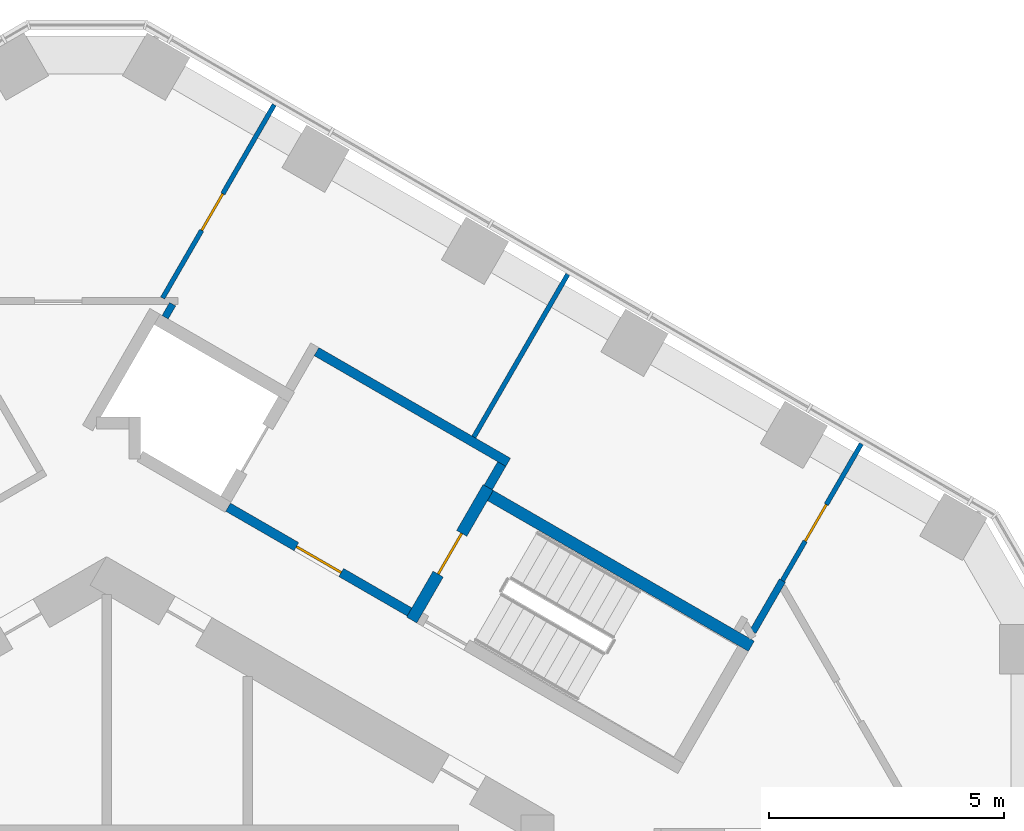
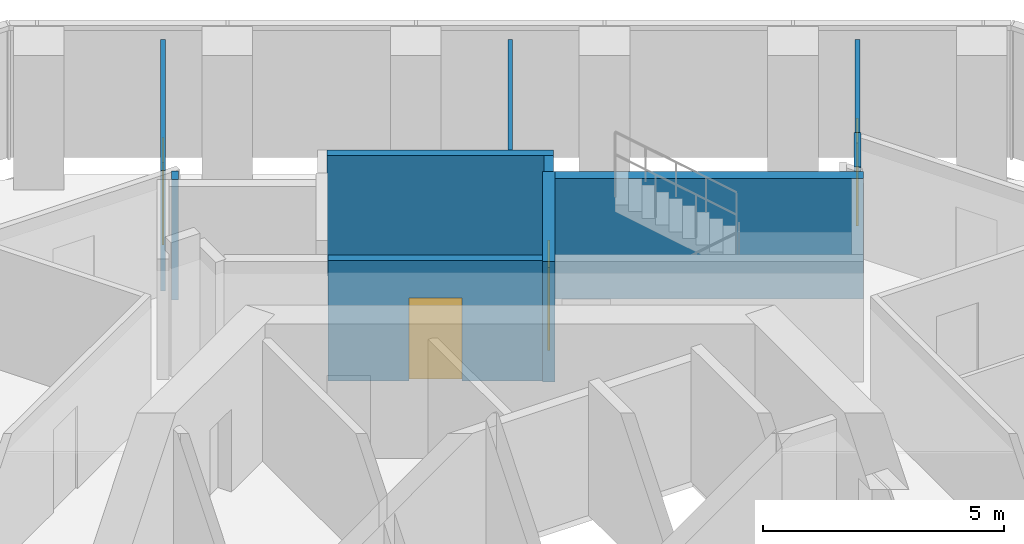
# One storey, part 16 of 19: 10 walls, 4 doors, 4 openings.
"""IFC4 building model written with IfcOpenShell, lengths in metres."""

from ifc_helpers import new_model, si_unit, direction, frame, frame_2d, origin, place, context, subcontext, project, spatial, rectangle, extrude, material, layer, layer_set, type_object, element, fill, save


model = new_model("IFC4")

# Units and contexts
model_context = context("Model", 3, precision=1e-05, world=origin(), true_north=direction((0.0, 1.0)))
body_context = subcontext(model_context, "Body", "Model", "MODEL_VIEW")
ifc_project = project(units=[si_unit("LENGTHUNIT", "METRE"), si_unit("AREAUNIT", "SQUARE_METRE"), si_unit("VOLUMEUNIT", "CUBIC_METRE"), si_unit("PLANEANGLEUNIT", "RADIAN"), si_unit("MASSUNIT", "GRAM", prefix="KILO")], contexts=[model_context])

# Site, building, storey
site_placement = place(None, origin())
site = spatial("IfcSite", under=ifc_project, at=site_placement, CompositionType="ELEMENT")
building_placement = place(site_placement, origin())
building = spatial("IfcBuilding", under=site, at=building_placement, Name="Ayvan Gate Tower", CompositionType="ELEMENT")
storey_placement = place(building_placement, frame((0.0, 0.0, 106.89990234375)))
storey = spatial("IfcBuildingStorey", under=building, at=storey_placement, Name="L28", CompositionType="ELEMENT", Elevation=106.89990234375)

# Walls
ifc_material_1 = material(Name="Plasterboard on steel stud", Category="steel")
ifc_layer_1 = layer(ifc_material_1, 0.14990234375)
ifc_layer_set_1 = layer_set([ifc_layer_1], Name="Plasterboard on steel stud")
wall_type_1 = type_object("IfcWallType", Name="WT-CORR-150", PredefinedType="PARTITIONING", material=ifc_layer_set_1)
wall_1_placement = place(storey_placement, frame((1.404296875, 16.33203125, 0.0), z_axis=(0.0, 0.0, 1.0), x_axis=(-0.500226934229, -0.865894343596, 0.0)))
element("IfcWall", 1, at=wall_1_placement, inside=storey, type_object=wall_type_1, Name="IW-L28-067", PredefinedType="PARTITIONING", context=body_context, shape_type="SweptSolid", body=[
    extrude(rectangle(XDim=0.321044921875, YDim=0.14990234375, at=frame_2d((0.16064453125, 0.0))), origin(), (0.0, 0.0, 1.0), 3.050048828125),
])
wall_2_placement = place(storey_placement, frame((13.72705078125, 9.3759765625, 0.0), z_axis=(0.0, 0.0, 1.0), x_axis=(0.500037327496, 0.866003851672, 0.0)))
element("IfcWall", 2, at=wall_2_placement, inside=storey, type_object=wall_type_1, Name="IW-L28-107", PredefinedType="PARTITIONING", context=body_context, shape_type="SweptSolid", body=[
    extrude(rectangle(XDim=1.2529296875, YDim=0.14990234375, at=frame_2d((0.62646484375, 0.0))), origin(), (0.0, 0.0, 1.0), 3.050048828125),
])

# Wall, opening, door
ifc_layer_2 = layer(ifc_material_1, 0.10009765625)
ifc_layer_set_2 = layer_set([ifc_layer_2], Name="Plasterboard on steel stud")
wall_type_2 = type_object("IfcWallType", Name="WT-PART-100", PredefinedType="PARTITIONING", material=ifc_layer_set_2)
wall_3_placement = place(storey_placement, frame((3.560302734375, 20.56640625, 0.0), z_axis=(0.0, 0.0, 1.0), x_axis=(-0.500022688392, -0.866012304239, 0.0)))
wall_3 = element("IfcWall", 3, at=wall_3_placement, inside=storey, type_object=wall_type_2, Name="IW-L28-076", PredefinedType="PARTITIONING", context=body_context, shape_type="SweptSolid", body=[
    extrude(rectangle(XDim=4.739501953125, YDim=0.10009765625, at=frame_2d((2.36962890625, 0.0))), origin(), (0.0, 0.0, 1.0), 3.050048828125),
])
opening_1_placement = place(wall_3_placement, frame((2.18017578125, 0.0, 0.0)))
opening_1 = element("IfcOpeningElement", 4, at=opening_1_placement, cuts=wall_3, Name="Opening L28-D22", PredefinedType="OPENING", context=body_context, shape_type="SweptSolid", body=[
    extrude(rectangle(XDim=0.89990234375, YDim=2.10009765625, at=frame_2d((0.449951171875, 1.050048828125))), frame((0.0, 0.06005859375, 0.0), z_axis=(0.0, -1.0, 0.0), x_axis=(1.0, 0.0, 0.0)), (0.0, 0.0, 1.0), 0.1201171875),
])
ifc_material_2 = material(Name="Timber door leaf", Category="wood")
door_type_1 = type_object("IfcDoorType", Name="DT-900", OperationType="NOTDEFINED", PredefinedType="DOOR", material=ifc_material_2)
door_1_placement = place(opening_1_placement, origin())
door_1 = element("IfcDoor", 5, at=door_1_placement, inside=storey, type_object=door_type_1, Name="ID-L28-022", OperationType="SINGLE_SWING_RIGHT", OverallHeight=2.10009765625, OverallWidth=0.89990234375, PredefinedType="DOOR", context=body_context, shape_type="SweptSolid", body=[
    extrude(rectangle(XDim=0.89990234375, YDim=2.10009765625, at=frame_2d((0.449951171875, 1.050048828125))), frame((0.0, 0.02490234375, 0.0), z_axis=(0.0, -1.0, 0.0), x_axis=(1.0, 0.0, 0.0)), (0.0, 0.0, 1.0), 0.050048828125),
])
fill(opening_1, door_1)

# Wall
wall_4_placement = place(storey_placement, frame((7.800048828125, 13.510009765625, 0.0), z_axis=(0.0, 0.0, 1.0), x_axis=(0.500020748167, 0.866013424493, 0.0)))
element("IfcWall", 6, at=wall_4_placement, inside=storey, type_object=wall_type_2, Name="IW-L28-092", PredefinedType="PARTITIONING", context=body_context, shape_type="SweptSolid", body=[
    extrude(rectangle(XDim=3.990966796875, YDim=0.10009765625, at=frame_2d((1.99560546875, 0.0))), origin(), (0.0, 0.0, 1.0), 3.050048828125),
])

# Wall, opening, door
wall_5_placement = place(storey_placement, frame((14.353515625, 10.4609375, 0.0), z_axis=(0.0, 0.0, 1.0), x_axis=(0.499997513821, 0.866026839176, 0.0)))
wall_5 = element("IfcWall", 7, at=wall_5_placement, inside=storey, type_object=wall_type_2, Name="IW-L28-108", PredefinedType="PARTITIONING", context=body_context, shape_type="SweptSolid", body=[
    extrude(rectangle(XDim=3.35498046875, YDim=0.10009765625, at=frame_2d((1.677490234375, 0.0))), origin(), (0.0, 0.0, 1.0), 3.050048828125),
])
opening_2_placement = place(wall_5_placement, frame((0.966796875, 0.0, 0.0)))
opening_2 = element("IfcOpeningElement", 8, at=opening_2_placement, cuts=wall_5, Name="Opening L28-D20", PredefinedType="OPENING", context=body_context, shape_type="SweptSolid", body=[
    extrude(rectangle(XDim=0.89990234375, YDim=2.10009765625, at=frame_2d((0.449951171875, 1.050048828125))), frame((0.0, 0.06005859375, 0.0), z_axis=(0.0, -1.0, 0.0), x_axis=(1.0, 0.0, 0.0)), (0.0, 0.0, 1.0), 0.1201171875),
])
door_2_placement = place(opening_2_placement, origin())
door_2 = element("IfcDoor", 9, at=door_2_placement, inside=storey, type_object=door_type_1, Name="ID-L28-020", OperationType="SINGLE_SWING_RIGHT", OverallHeight=2.10009765625, OverallWidth=0.89990234375, PredefinedType="DOOR", context=body_context, shape_type="SweptSolid", body=[
    extrude(rectangle(XDim=0.89990234375, YDim=2.10009765625, at=frame_2d((0.449951171875, 1.050048828125))), frame((0.0, 0.02490234375, 0.0), z_axis=(0.0, -1.0, 0.0), x_axis=(1.0, 0.0, 0.0)), (0.0, 0.0, 1.0), 0.050048828125),
])
fill(opening_2, door_2)

# Wall
ifc_layer_3 = layer(ifc_material_1, 0.199951171875)
ifc_layer_set_3 = layer_set([ifc_layer_3], Name="Plasterboard on steel stud")
wall_type_3 = type_object("IfcWallType", Name="WT-RATED-200", PredefinedType="PARTITIONING", material=ifc_layer_set_3)
wall_6_placement = place(storey_placement, frame((4.458984375, 15.323486328125, 0.0), z_axis=(0.0, 0.0, 1.0), x_axis=(0.866016039709, -0.500016218704, 0.0)))
element("IfcWall", 10, at=wall_6_placement, inside=storey, type_object=wall_type_3, Name="IW-L28-080", PredefinedType="PARTITIONING", context=body_context, shape_type="SweptSolid", body=[
    extrude(rectangle(XDim=4.699951171875, YDim=0.199951171875, at=frame_2d((2.35009765625, 0.0))), origin(), (0.0, 0.0, 1.0), 3.050048828125),
])

# Wall, opening, door
wall_7_placement = place(storey_placement, frame((6.4345703125, 9.794921875, 0.0), z_axis=(0.0, 0.0, 1.0), x_axis=(-0.866012907634, 0.500021643343, 0.0)))
wall_7 = element("IfcWall", 11, at=wall_7_placement, inside=storey, type_object=wall_type_3, Name="IW-L28-083", PredefinedType="PARTITIONING", context=body_context, shape_type="SweptSolid", body=[
    extrude(rectangle(XDim=4.449951171875, YDim=0.199951171875, at=frame_2d((2.22509765625, 0.0))), origin(), (0.0, 0.0, 1.0), 3.050048828125),
])
opening_3_placement = place(wall_7_placement, frame((1.675048828125, 0.0, 0.0)))
opening_3 = element("IfcOpeningElement", 12, at=opening_3_placement, cuts=wall_7, Name="Opening L28-D08", PredefinedType="OPENING", context=body_context, shape_type="SweptSolid", body=[
    extrude(rectangle(XDim=1.10009765625, YDim=2.10009765625, at=frame_2d((0.550048828125, 1.050048828125))), frame((0.0, 0.10986328125, 0.0), z_axis=(0.0, -1.0, 0.0), x_axis=(1.0, 0.0, 0.0)), (0.0, 0.0, 1.0), 0.219970703125),
])
door_type_2 = type_object("IfcDoorType", Name="DT-1100", OperationType="NOTDEFINED", PredefinedType="DOOR", material=ifc_material_2)
door_3_placement = place(opening_3_placement, origin())
door_3 = element("IfcDoor", 13, at=door_3_placement, inside=storey, type_object=door_type_2, Name="ID-L28-008", OperationType="SINGLE_SWING_RIGHT", OverallHeight=2.10009765625, OverallWidth=1.10009765625, PredefinedType="DOOR", context=body_context, shape_type="SweptSolid", body=[
    extrude(rectangle(XDim=1.10009765625, YDim=2.10009765625, at=frame_2d((0.550048828125, 1.050048828125))), frame((0.0, 0.02490234375, 0.0), z_axis=(0.0, -1.0, 0.0), x_axis=(1.0, 0.0, 0.0)), (0.0, 0.0, 1.0), 0.050048828125),
])
fill(opening_3, door_3)

# Wall
wall_8_placement = place(storey_placement, frame((8.392822265625, 12.936767578125, 0.0), z_axis=(0.0, 0.0, 1.0), x_axis=(-0.500065409566, -0.86598763626, 0.0)))
element("IfcWall", 14, at=wall_8_placement, inside=storey, type_object=wall_type_3, Name="IW-L28-094", PredefinedType="PARTITIONING", context=body_context, shape_type="SweptSolid", body=[
    extrude(rectangle(XDim=0.5751953125, YDim=0.199951171875, at=frame_2d((0.28759765625, 0.0))), origin(), (0.0, 0.0, 1.0), 3.050048828125),
])

# Wall, opening, door
ifc_material_3 = material(Name="Concrete C50/60", Category="concrete")
ifc_layer_4 = layer(ifc_material_3, 0.25)
ifc_layer_set_4 = layer_set([ifc_layer_4], Name="Concrete C50/60")
wall_type_4 = type_object("IfcWallType", Name="WT-RC-250", PredefinedType="SHEAR", material=ifc_layer_set_4)
wall_9_placement = place(storey_placement, frame((6.480224609375, 9.624267578125, 0.0), z_axis=(0.0, 0.0, 1.0), x_axis=(0.500017246033, 0.866015446554, 0.0)))
wall_9 = element("IfcWall", 15, at=wall_9_placement, inside=storey, type_object=wall_type_4, Name="IW-L28-084", PredefinedType="SHEAR", context=body_context, shape_type="SweptSolid", body=[
    extrude(rectangle(XDim=3.25, YDim=0.25, at=frame_2d((1.625, 0.0))), origin(), (0.0, 0.0, 1.0), 3.050048828125),
])
opening_4_placement = place(wall_9_placement, frame((1.125, 0.0, 0.0)))
opening_4 = element("IfcOpeningElement", 16, at=opening_4_placement, cuts=wall_9, Name="Opening L28-D07", PredefinedType="OPENING", context=body_context, shape_type="SweptSolid", body=[
    extrude(rectangle(XDim=1.0, YDim=2.10009765625, at=frame_2d((0.5, 1.050048828125))), frame((0.0, 0.135009765625, 0.0), z_axis=(0.0, -1.0, 0.0), x_axis=(1.0, 0.0, 0.0)), (0.0, 0.0, 1.0), 0.27001953125),
])
door_type_3 = type_object("IfcDoorType", Name="DT-1000", OperationType="NOTDEFINED", PredefinedType="DOOR", material=ifc_material_2)
door_4_placement = place(opening_4_placement, origin())
door_4 = element("IfcDoor", 17, at=door_4_placement, inside=storey, type_object=door_type_3, Name="ID-L28-007", OperationType="SINGLE_SWING_LEFT", OverallHeight=2.10009765625, OverallWidth=1.0, PredefinedType="DOOR", context=body_context, shape_type="SweptSolid", body=[
    extrude(rectangle(XDim=1.0, YDim=2.10009765625, at=frame_2d((0.5, 1.050048828125))), frame((0.0, 0.02490234375, 0.0), z_axis=(0.0, -1.0, 0.0), x_axis=(1.0, 0.0, 0.0)), (0.0, 0.0, 1.0), 0.050048828125),
])
fill(opening_4, door_4)

# Wall
wall_10_placement = place(storey_placement, frame((8.151123046875, 12.26806640625, 0.0), z_axis=(0.0, 0.0, 1.0), x_axis=(0.866025499775, -0.499999833739, 0.0)))
element("IfcWall", 18, at=wall_10_placement, inside=storey, type_object=wall_type_4, Name="IW-L28-093", PredefinedType="SHEAR", context=body_context, shape_type="SweptSolid", body=[
    extrude(rectangle(XDim=6.39990234375, YDim=0.25, at=frame_2d((3.199951171875, 0.0))), origin(), (0.0, 0.0, 1.0), 3.050048828125),
])

save(model, "model.ifc")
